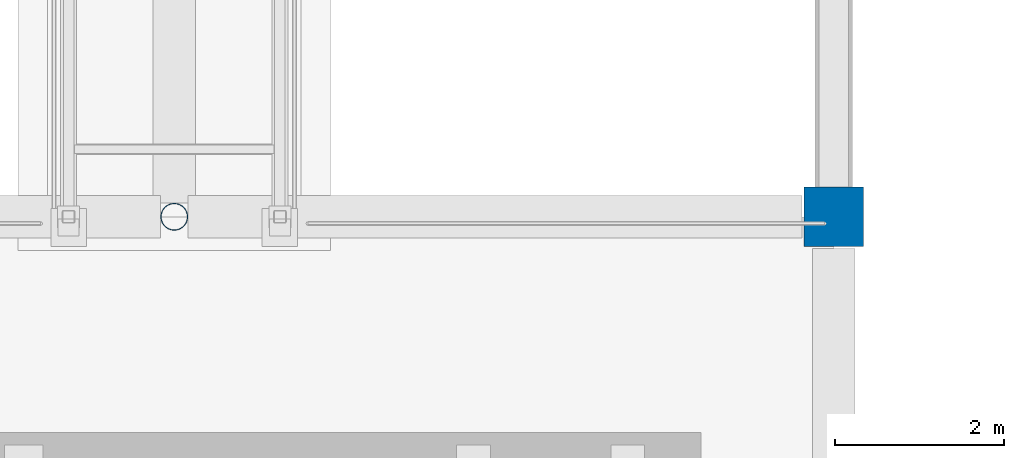
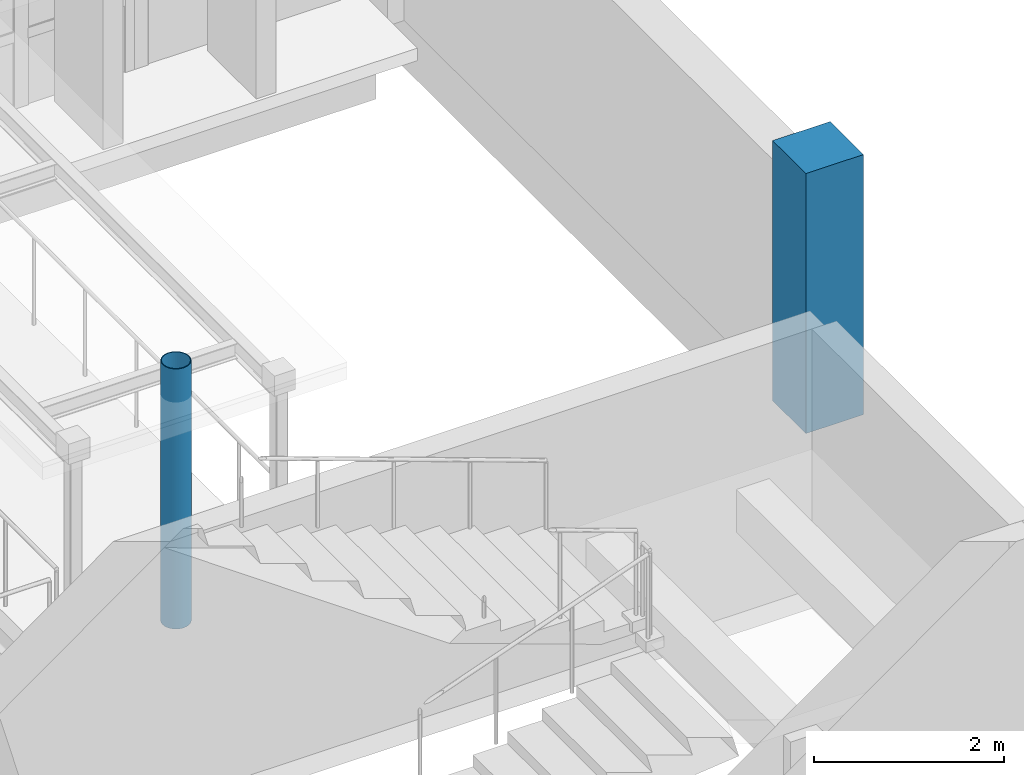
# One storey, part 6 of 75: 2 columns.
"""IFC4 building model written with IfcOpenShell, lengths in metres."""

from ifc_helpers import new_model, si_unit, direction, frame, origin, origin_2d, place, context, subcontext, project, spatial, rectangle, hollow_circle, extrude, material, material_profile, profile_set, type_object, element, save


model = new_model("IFC4")

# Units and contexts
model_context = context("Model", 3, precision=1e-05, world=origin(), true_north=direction((0.0, 1.0)))
body_context = subcontext(model_context, "Body", "Model", "MODEL_VIEW")
ifc_project = project(units=[si_unit("LENGTHUNIT", "METRE"), si_unit("AREAUNIT", "SQUARE_METRE"), si_unit("VOLUMEUNIT", "CUBIC_METRE"), si_unit("PLANEANGLEUNIT", "RADIAN"), si_unit("MASSUNIT", "GRAM", prefix="KILO")], contexts=[model_context])

# Site, building, storey
site_placement = place(None, origin())
site = spatial("IfcSite", under=ifc_project, at=site_placement, CompositionType="ELEMENT")
building_placement = place(site_placement, origin())
building = spatial("IfcBuilding", under=site, at=building_placement, Name="Varnakota Cinema and Media Centre", CompositionType="ELEMENT")
storey_placement = place(building_placement, frame((0.0, 0.0, 8.39990234375)))
storey = spatial("IfcBuildingStorey", under=building, at=storey_placement, Name="L02", CompositionType="ELEMENT", Elevation=8.39990234375)

# Columns
ifc_material_1 = material(Name="Concrete M40", Category="concrete")
ifc_material_profile_1 = material_profile(ifc_material_1, rectangle(XDim=0.699951171875, YDim=0.699951171875, at=origin_2d()), Name="RC 700x700")
ifc_profile_set_1 = profile_set([ifc_material_profile_1], Name="Concrete M40")
column_type_1 = type_object("IfcColumnType", Name="COL-RC-700x700", PredefinedType="COLUMN", material=ifc_profile_set_1)
column_1_placement = place(storey_placement, frame((75.0, 26.39990234375, 0.0), z_axis=(0.0, 0.0, 1.0), x_axis=(1.0, 0.0, 0.0)))
element("IfcColumn", 1, at=column_1_placement, inside=storey, type_object=column_type_1, Name="L02 column K/4", PredefinedType="COLUMN", context=body_context, shape_type="SweptSolid", body=[
    extrude(rectangle(XDim=0.699951171875, YDim=0.699951171875, at=origin_2d()), origin(), (0.0, 0.0, 1.0), 3.340087890625),
])
ifc_material_2 = material(Name="Structural steel S355 (YSt 355)", Category="steel")
ifc_material_profile_2 = material_profile(ifc_material_2, hollow_circle(Radius=0.161865234375, WallThickness=0.010009765625, at=origin_2d()), Name="CHS 323.9x10.0")
ifc_profile_set_2 = profile_set([ifc_material_profile_2], Name="Structural steel S355 (YSt 355)")
column_type_2 = type_object("IfcColumnType", Name="COL-ST-CHS324", PredefinedType="COLUMN", material=ifc_profile_set_2)
column_2_placement = place(storey_placement, frame((67.199951171875, 26.39990234375, 0.0), z_axis=(0.0, 0.0, 1.0), x_axis=(1.0, 0.0, 0.0)))
element("IfcColumn", 2, at=column_2_placement, inside=storey, type_object=column_type_2, Name="L02 column J/4", PredefinedType="COLUMN", context=body_context, shape_type="SweptSolid", body=[
    extrude(hollow_circle(Radius=0.161865234375, WallThickness=0.010009765625, at=origin_2d()), origin(), (0.0, 0.0, 1.0), 3.340087890625),
])

save(model, "model.ifc")
